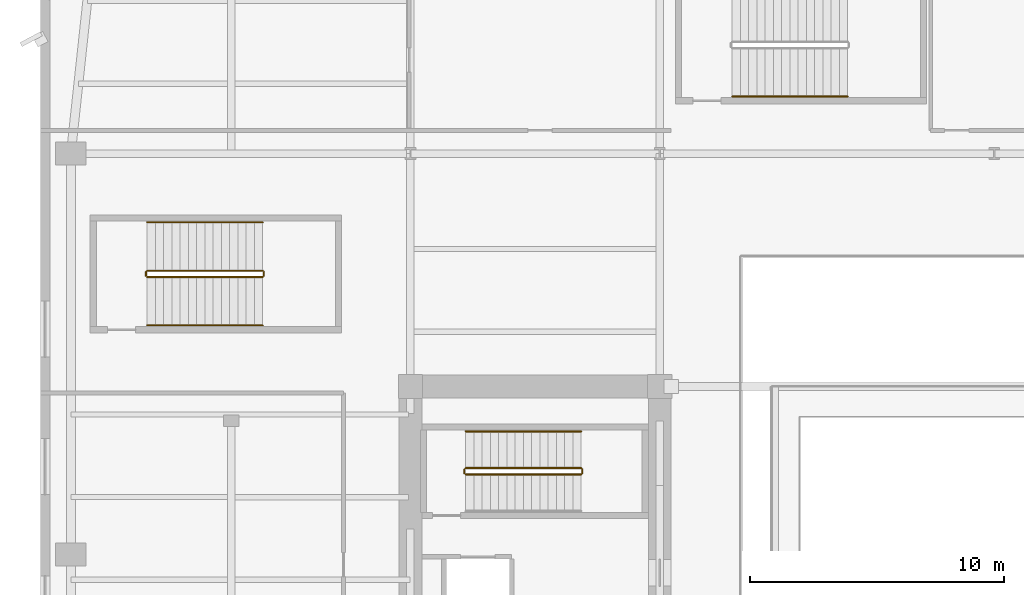
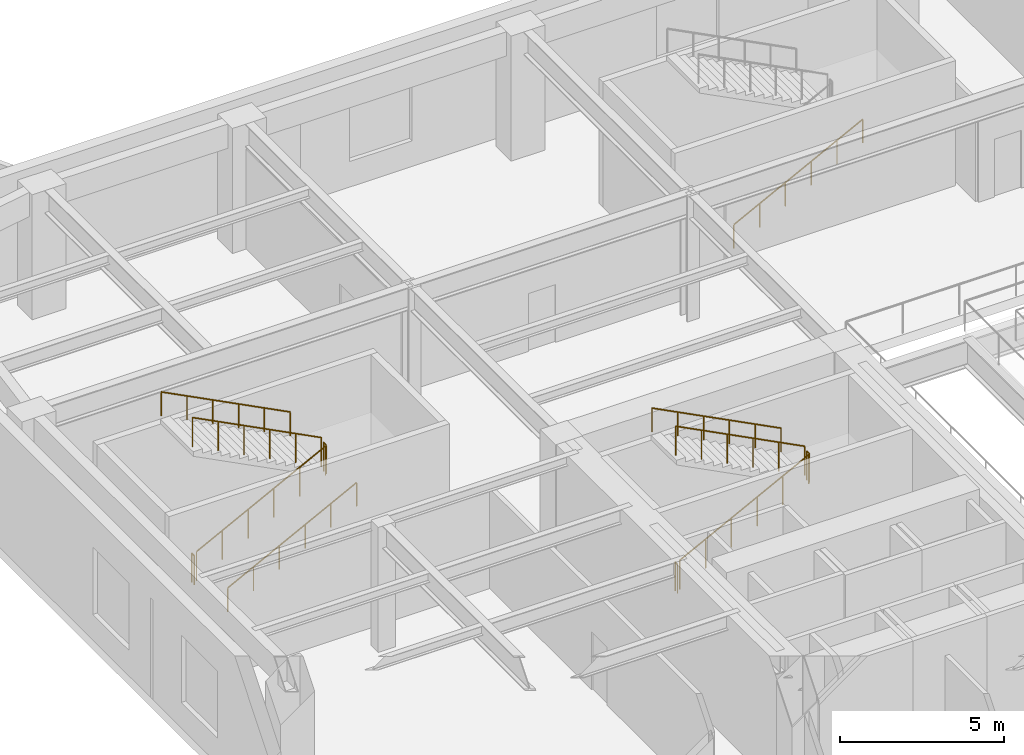
# One storey, part 19 of 24: 12 railings.
"""IFC4 building model written with IfcOpenShell, lengths in metres."""

from ifc_helpers import new_model, si_unit, direction, frame, origin, origin_2d, place, context, subcontext, project, spatial, circle, extrude, material, type_object, element, save


model = new_model("IFC4")

# Units and contexts
model_context = context("Model", 3, precision=1e-05, world=origin(), true_north=direction((0.0, 1.0)))
body_context = subcontext(model_context, "Body", "Model", "MODEL_VIEW")
ifc_project = project(units=[si_unit("LENGTHUNIT", "METRE"), si_unit("AREAUNIT", "SQUARE_METRE"), si_unit("VOLUMEUNIT", "CUBIC_METRE"), si_unit("PLANEANGLEUNIT", "RADIAN"), si_unit("MASSUNIT", "GRAM", prefix="KILO")], contexts=[model_context])

# Site, building, storey
site_placement = place(None, origin())
site = spatial("IfcSite", under=ifc_project, at=site_placement, CompositionType="ELEMENT")
building_placement = place(site_placement, origin())
building = spatial("IfcBuilding", under=site, at=building_placement, Name="Kolvaren Arena Tower", CompositionType="ELEMENT")
storey_placement = place(building_placement, frame((0.0, 0.0, 23.0)))
storey = spatial("IfcBuildingStorey", under=building, at=storey_placement, Name="L04", CompositionType="ELEMENT", Elevation=23.0)

# Railings
ifc_material_1 = material(Name="Painted galvanized steel", Category="steel")
railing_type_1 = type_object("IfcRailingType", Name="GUARD-ST-110", PredefinedType="GUARDRAIL", material=ifc_material_1)
railing_1_placement = place(storey_placement, frame((16.719970703125, 30.389892578125, 0.166748046875)))
element("IfcRailing", 1, at=railing_1_placement, inside=storey, type_object=railing_type_1, Name="L04 ST-W1 stair guard 1", PredefinedType="GUARDRAIL", context=body_context, shape_type="SweptSolid", body=[
    extrude(circle(Radius=0.02392578125, at=origin_2d()), frame((0.0, 0.0, 1.076171875), z_axis=(0.889257211316, 0.0, 0.457407490234), x_axis=(0.0, 1.0, 0.0)), (0.0, 0.0, 1.0), 5.10107421875),
    extrude(circle(Radius=0.02099609375, at=origin_2d()), origin(), (0.0, 0.0, 1.0), 1.052001953125),
    extrude(circle(Radius=0.02099609375, at=origin_2d()), frame((0.9072265625, 0.0, 0.466552734375)), (0.0, 0.0, 1.0), 1.052001953125),
    extrude(circle(Radius=0.02099609375, at=origin_2d()), frame((1.814453125, 0.0, 0.933349609375)), (0.0, 0.0, 1.0), 1.052001953125),
    extrude(circle(Radius=0.02099609375, at=origin_2d()), frame((2.7216796875, 0.0, 1.39990234375)), (0.0, 0.0, 1.0), 1.052001953125),
    extrude(circle(Radius=0.02099609375, at=origin_2d()), frame((3.62890625, 0.0, 1.86669921875)), (0.0, 0.0, 1.0), 1.052001953125),
    extrude(circle(Radius=0.02099609375, at=origin_2d()), frame((4.5361328125, 0.0, 2.333251953125)), (0.0, 0.0, 1.0), 1.052001953125),
])
railing_2_placement = place(storey_placement, frame((21.305908203125, 30.43994140625, 2.5)))
element("IfcRailing", 2, at=railing_2_placement, inside=storey, type_object=railing_type_1, Name="L04 ST-W1 stair guard 2", PredefinedType="GUARDRAIL", context=body_context, shape_type="SweptSolid", body=[
    extrude(circle(Radius=0.02392578125, at=origin_2d()), frame((0.0, 0.0, 1.076171875), z_axis=(0.0, 1.0, 0.0), x_axis=(-1.0, 0.0, 0.0)), (0.0, 0.0, 1.0), 0.150146484375),
    extrude(circle(Radius=0.02099609375, at=origin_2d()), origin(), (0.0, 0.0, 1.0), 1.052001953125),
    extrude(circle(Radius=0.02099609375, at=origin_2d()), frame((0.0, 0.150146484375, 0.0)), (0.0, 0.0, 1.0), 1.052001953125),
])
railing_3_placement = place(storey_placement, frame((21.256103515625, 30.639892578125, 2.666748046875)))
element("IfcRailing", 3, at=railing_3_placement, inside=storey, type_object=railing_type_1, Name="L04 ST-W1 stair guard 3", PredefinedType="GUARDRAIL", context=body_context, shape_type="SweptSolid", body=[
    extrude(circle(Radius=0.02392578125, at=origin_2d()), frame((0.0, 0.0, 1.076171875), z_axis=(-0.889257211316, 0.0, 0.457407490234), x_axis=(0.0, -1.0, 0.0)), (0.0, 0.0, 1.0), 5.10107421875),
    extrude(circle(Radius=0.02099609375, at=origin_2d()), origin(), (0.0, 0.0, 1.0), 1.052001953125),
    extrude(circle(Radius=0.02099609375, at=origin_2d()), frame((-0.9072265625, 0.0, 0.466552734375)), (0.0, 0.0, 1.0), 1.052001953125),
    extrude(circle(Radius=0.02099609375, at=origin_2d()), frame((-1.814453125, 0.0, 0.933349609375)), (0.0, 0.0, 1.0), 1.052001953125),
    extrude(circle(Radius=0.02099609375, at=origin_2d()), frame((-2.7216796875, 0.0, 1.39990234375)), (0.0, 0.0, 1.0), 1.052001953125),
    extrude(circle(Radius=0.02099609375, at=origin_2d()), frame((-3.62890625, 0.0, 1.86669921875)), (0.0, 0.0, 1.0), 1.052001953125),
    extrude(circle(Radius=0.02099609375, at=origin_2d()), frame((-4.5361328125, 0.0, 2.333251953125)), (0.0, 0.0, 1.0), 1.052001953125),
])
railing_4_placement = place(storey_placement, frame((16.669921875, 30.43994140625, 0.0)))
element("IfcRailing", 4, at=railing_4_placement, inside=storey, type_object=railing_type_1, Name="L04 ST-W1 stair guard 4", PredefinedType="GUARDRAIL", context=body_context, shape_type="SweptSolid", body=[
    extrude(circle(Radius=0.02392578125, at=origin_2d()), frame((0.0, 0.0, 1.076171875), z_axis=(0.0, 1.0, 0.0), x_axis=(-1.0, 0.0, 0.0)), (0.0, 0.0, 1.0), 0.150146484375),
    extrude(circle(Radius=0.02099609375, at=origin_2d()), origin(), (0.0, 0.0, 1.0), 1.052001953125),
    extrude(circle(Radius=0.02099609375, at=origin_2d()), frame((0.0, 0.150146484375, 0.0)), (0.0, 0.0, 1.0), 1.052001953125),
])
railing_5_placement = place(storey_placement, frame((4.199951171875, 38.14990234375, 0.166748046875)))
element("IfcRailing", 5, at=railing_5_placement, inside=storey, type_object=railing_type_1, Name="L04 ST-A5 stair guard 1", PredefinedType="GUARDRAIL", context=body_context, shape_type="SweptSolid", body=[
    extrude(circle(Radius=0.02392578125, at=origin_2d()), frame((0.0, 0.0, 1.076171875), z_axis=(0.889257211316, 0.0, 0.457407490234), x_axis=(0.0, 1.0, 0.0)), (0.0, 0.0, 1.0), 5.10107421875),
    extrude(circle(Radius=0.02099609375, at=origin_2d()), origin(), (0.0, 0.0, 1.0), 1.052001953125),
    extrude(circle(Radius=0.02099609375, at=origin_2d()), frame((0.9072265625, 0.0, 0.466552734375)), (0.0, 0.0, 1.0), 1.052001953125),
    extrude(circle(Radius=0.02099609375, at=origin_2d()), frame((1.814453125, 0.0, 0.933349609375)), (0.0, 0.0, 1.0), 1.052001953125),
    extrude(circle(Radius=0.02099609375, at=origin_2d()), frame((2.7216796875, 0.0, 1.39990234375)), (0.0, 0.0, 1.0), 1.052001953125),
    extrude(circle(Radius=0.02099609375, at=origin_2d()), frame((3.62890625, 0.0, 1.86669921875)), (0.0, 0.0, 1.0), 1.052001953125),
    extrude(circle(Radius=0.02099609375, at=origin_2d()), frame((4.5361328125, 0.0, 2.333251953125)), (0.0, 0.0, 1.0), 1.052001953125),
])
railing_6_placement = place(storey_placement, frame((8.785888671875, 38.199951171875, 2.5)))
element("IfcRailing", 6, at=railing_6_placement, inside=storey, type_object=railing_type_1, Name="L04 ST-A5 stair guard 2", PredefinedType="GUARDRAIL", context=body_context, shape_type="SweptSolid", body=[
    extrude(circle(Radius=0.02392578125, at=origin_2d()), frame((0.0, 0.0, 1.076171875), z_axis=(0.0, 1.0, 0.0), x_axis=(-1.0, 0.0, 0.0)), (0.0, 0.0, 1.0), 0.150146484375),
    extrude(circle(Radius=0.02099609375, at=origin_2d()), origin(), (0.0, 0.0, 1.0), 1.052001953125),
    extrude(circle(Radius=0.02099609375, at=origin_2d()), frame((0.0, 0.150146484375, 0.0)), (0.0, 0.0, 1.0), 1.052001953125),
])
railing_7_placement = place(storey_placement, frame((8.736083984375, 38.39990234375, 2.666748046875)))
element("IfcRailing", 7, at=railing_7_placement, inside=storey, type_object=railing_type_1, Name="L04 ST-A5 stair guard 3", PredefinedType="GUARDRAIL", context=body_context, shape_type="SweptSolid", body=[
    extrude(circle(Radius=0.02392578125, at=origin_2d()), frame((0.0, 0.0, 1.076171875), z_axis=(-0.889257211316, 0.0, 0.457407490234), x_axis=(0.0, -1.0, 0.0)), (0.0, 0.0, 1.0), 5.10107421875),
    extrude(circle(Radius=0.02099609375, at=origin_2d()), origin(), (0.0, 0.0, 1.0), 1.052001953125),
    extrude(circle(Radius=0.02099609375, at=origin_2d()), frame((-0.9072265625, 0.0, 0.466552734375)), (0.0, 0.0, 1.0), 1.052001953125),
    extrude(circle(Radius=0.02099609375, at=origin_2d()), frame((-1.814453125, 0.0, 0.933349609375)), (0.0, 0.0, 1.0), 1.052001953125),
    extrude(circle(Radius=0.02099609375, at=origin_2d()), frame((-2.7216796875, 0.0, 1.39990234375)), (0.0, 0.0, 1.0), 1.052001953125),
    extrude(circle(Radius=0.02099609375, at=origin_2d()), frame((-3.62890625, 0.0, 1.86669921875)), (0.0, 0.0, 1.0), 1.052001953125),
    extrude(circle(Radius=0.02099609375, at=origin_2d()), frame((-4.5361328125, 0.0, 2.333251953125)), (0.0, 0.0, 1.0), 1.052001953125),
])
railing_8_placement = place(storey_placement, frame((4.14990234375, 38.199951171875, 0.0)))
element("IfcRailing", 8, at=railing_8_placement, inside=storey, type_object=railing_type_1, Name="L04 ST-A5 stair guard 4", PredefinedType="GUARDRAIL", context=body_context, shape_type="SweptSolid", body=[
    extrude(circle(Radius=0.02392578125, at=origin_2d()), frame((0.0, 0.0, 1.076171875), z_axis=(0.0, 1.0, 0.0), x_axis=(-1.0, 0.0, 0.0)), (0.0, 0.0, 1.0), 0.150146484375),
    extrude(circle(Radius=0.02099609375, at=origin_2d()), origin(), (0.0, 0.0, 1.0), 1.052001953125),
    extrude(circle(Radius=0.02099609375, at=origin_2d()), frame((0.0, 0.150146484375, 0.0)), (0.0, 0.0, 1.0), 1.052001953125),
])
ifc_material_2 = material(Name="Brushed stainless steel handrail", Category="steel")
railing_type_2 = type_object("IfcRailingType", Name="HRAIL-900", PredefinedType="HANDRAIL", material=ifc_material_2)
railing_9_placement = place(storey_placement, frame((21.256103515625, 32.080078125, 2.666748046875)))
element("IfcRailing", 9, at=railing_9_placement, inside=storey, type_object=railing_type_2, Name="L04 ST-W1 stair handrail 2", PredefinedType="HANDRAIL", context=body_context, shape_type="SweptSolid", body=[
    extrude(circle(Radius=0.02392578125, at=origin_2d()), frame((0.0, 0.0, 0.8759765625), z_axis=(-0.889257211316, 0.0, 0.457407490234), x_axis=(0.0, -1.0, 0.0)), (0.0, 0.0, 1.0), 5.10107421875),
    extrude(circle(Radius=0.02099609375, at=origin_2d()), origin(), (0.0, 0.0, 1.0), 0.851806640625),
    extrude(circle(Radius=0.02099609375, at=origin_2d()), frame((-0.9072265625, 0.0, 0.466552734375)), (0.0, 0.0, 1.0), 0.851806640625),
    extrude(circle(Radius=0.02099609375, at=origin_2d()), frame((-1.814453125, 0.0, 0.933349609375)), (0.0, 0.0, 1.0), 0.851806640625),
    extrude(circle(Radius=0.02099609375, at=origin_2d()), frame((-2.7216796875, 0.0, 1.39990234375)), (0.0, 0.0, 1.0), 0.851806640625),
    extrude(circle(Radius=0.02099609375, at=origin_2d()), frame((-3.62890625, 0.0, 1.86669921875)), (0.0, 0.0, 1.0), 0.851806640625),
    extrude(circle(Radius=0.02099609375, at=origin_2d()), frame((-4.5361328125, 0.0, 2.333251953125)), (0.0, 0.0, 1.0), 0.851806640625),
])
railing_10_placement = place(storey_placement, frame((4.199951171875, 36.25, 0.166748046875)))
element("IfcRailing", 10, at=railing_10_placement, inside=storey, type_object=railing_type_2, Name="L04 ST-A5 stair handrail 1", PredefinedType="HANDRAIL", context=body_context, shape_type="SweptSolid", body=[
    extrude(circle(Radius=0.02392578125, at=origin_2d()), frame((0.0, 0.0, 0.8759765625), z_axis=(0.889257211316, 0.0, 0.457407490234), x_axis=(0.0, 1.0, 0.0)), (0.0, 0.0, 1.0), 5.10107421875),
    extrude(circle(Radius=0.02099609375, at=origin_2d()), origin(), (0.0, 0.0, 1.0), 0.851806640625),
    extrude(circle(Radius=0.02099609375, at=origin_2d()), frame((0.9072265625, 0.0, 0.466552734375)), (0.0, 0.0, 1.0), 0.851806640625),
    extrude(circle(Radius=0.02099609375, at=origin_2d()), frame((1.814453125, 0.0, 0.933349609375)), (0.0, 0.0, 1.0), 0.851806640625),
    extrude(circle(Radius=0.02099609375, at=origin_2d()), frame((2.7216796875, 0.0, 1.39990234375)), (0.0, 0.0, 1.0), 0.851806640625),
    extrude(circle(Radius=0.02099609375, at=origin_2d()), frame((3.62890625, 0.0, 1.86669921875)), (0.0, 0.0, 1.0), 0.851806640625),
    extrude(circle(Radius=0.02099609375, at=origin_2d()), frame((4.5361328125, 0.0, 2.333251953125)), (0.0, 0.0, 1.0), 0.851806640625),
])
railing_11_placement = place(storey_placement, frame((8.736083984375, 40.300048828125, 2.666748046875)))
element("IfcRailing", 11, at=railing_11_placement, inside=storey, type_object=railing_type_2, Name="L04 ST-A5 stair handrail 2", PredefinedType="HANDRAIL", context=body_context, shape_type="SweptSolid", body=[
    extrude(circle(Radius=0.02392578125, at=origin_2d()), frame((0.0, 0.0, 0.8759765625), z_axis=(-0.889257211316, 0.0, 0.457407490234), x_axis=(0.0, -1.0, 0.0)), (0.0, 0.0, 1.0), 5.10107421875),
    extrude(circle(Radius=0.02099609375, at=origin_2d()), origin(), (0.0, 0.0, 1.0), 0.851806640625),
    extrude(circle(Radius=0.02099609375, at=origin_2d()), frame((-0.9072265625, 0.0, 0.466552734375)), (0.0, 0.0, 1.0), 0.851806640625),
    extrude(circle(Radius=0.02099609375, at=origin_2d()), frame((-1.814453125, 0.0, 0.933349609375)), (0.0, 0.0, 1.0), 0.851806640625),
    extrude(circle(Radius=0.02099609375, at=origin_2d()), frame((-2.7216796875, 0.0, 1.39990234375)), (0.0, 0.0, 1.0), 0.851806640625),
    extrude(circle(Radius=0.02099609375, at=origin_2d()), frame((-3.62890625, 0.0, 1.86669921875)), (0.0, 0.0, 1.0), 0.851806640625),
    extrude(circle(Radius=0.02099609375, at=origin_2d()), frame((-4.5361328125, 0.0, 2.333251953125)), (0.0, 0.0, 1.0), 0.851806640625),
])
railing_12_placement = place(storey_placement, frame((27.199951171875, 45.25, 0.166748046875)))
element("IfcRailing", 12, at=railing_12_placement, inside=storey, type_object=railing_type_2, Name="L04 ST-A6 stair handrail 1", PredefinedType="HANDRAIL", context=body_context, shape_type="SweptSolid", body=[
    extrude(circle(Radius=0.02392578125, at=origin_2d()), frame((0.0, 0.0, 0.8759765625), z_axis=(0.889257211316, 0.0, 0.457407490234), x_axis=(0.0, 1.0, 0.0)), (0.0, 0.0, 1.0), 5.10107421875),
    extrude(circle(Radius=0.02099609375, at=origin_2d()), origin(), (0.0, 0.0, 1.0), 0.851806640625),
    extrude(circle(Radius=0.02099609375, at=origin_2d()), frame((0.9072265625, 0.0, 0.466552734375)), (0.0, 0.0, 1.0), 0.851806640625),
    extrude(circle(Radius=0.02099609375, at=origin_2d()), frame((1.814453125, 0.0, 0.933349609375)), (0.0, 0.0, 1.0), 0.851806640625),
    extrude(circle(Radius=0.02099609375, at=origin_2d()), frame((2.7216796875, 0.0, 1.39990234375)), (0.0, 0.0, 1.0), 0.851806640625),
    extrude(circle(Radius=0.02099609375, at=origin_2d()), frame((3.62890625, 0.0, 1.86669921875)), (0.0, 0.0, 1.0), 0.851806640625),
    extrude(circle(Radius=0.02099609375, at=origin_2d()), frame((4.5361328125, 0.0, 2.333251953125)), (0.0, 0.0, 1.0), 0.851806640625),
])

save(model, "model.ifc")
